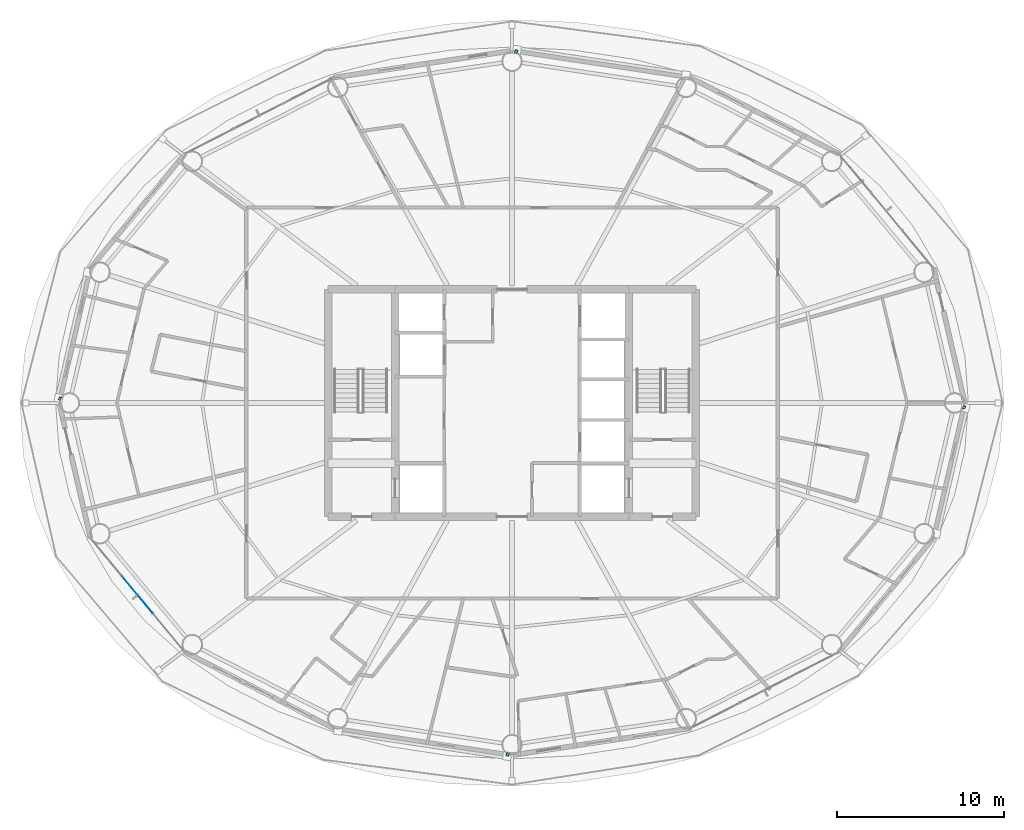
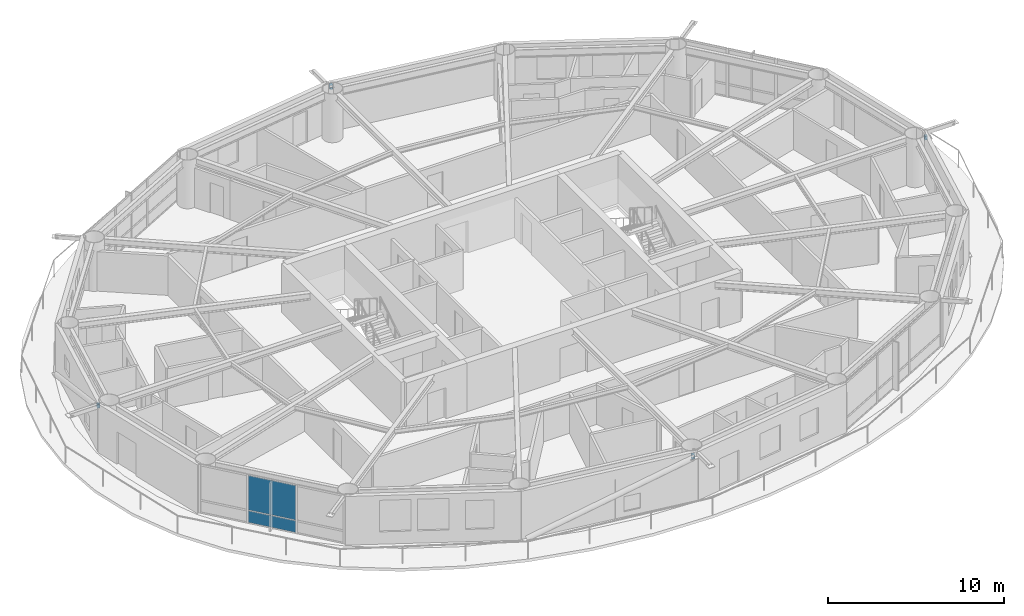
# One storey, part 16 of 28: 4 members, 2 plates, 1 element without a shape of its own.
"""IFC4 building model written with IfcOpenShell, lengths in metres."""

from ifc_helpers import new_model, si_unit, direction, frame, origin, origin_2d, place, context, subcontext, project, spatial, rectangle, hollow_rectangle, extrude, material, layer, layer_set, material_profile, profile_set, type_object, element, aggregate, save


model = new_model("IFC4")

# Units and contexts
model_context = context("Model", 3, precision=1e-05, world=origin(), true_north=direction((0.0, 1.0)))
body_context = subcontext(model_context, "Body", "Model", "MODEL_VIEW")
ifc_project = project(units=[si_unit("LENGTHUNIT", "METRE"), si_unit("AREAUNIT", "SQUARE_METRE"), si_unit("VOLUMEUNIT", "CUBIC_METRE"), si_unit("PLANEANGLEUNIT", "RADIAN"), si_unit("MASSUNIT", "GRAM", prefix="KILO")], contexts=[model_context])

# Site, building, storey
site_placement = place(None, origin())
site = spatial("IfcSite", under=ifc_project, at=site_placement, CompositionType="ELEMENT")
building_placement = place(site_placement, origin())
building = spatial("IfcBuilding", under=site, at=building_placement, Name="Sarneth Arch Tower", CompositionType="ELEMENT")
storey_placement = place(building_placement, frame((0.0, 0.0, 183.0)))
storey = spatial("IfcBuildingStorey", under=building, at=storey_placement, Name="L46", CompositionType="ELEMENT", Elevation=183.0)

# Members
ifc_material_1 = material(Name="Steel S355", Category="steel")
ifc_material_profile = material_profile(ifc_material_1, hollow_rectangle(XDim=0.199951171875, YDim=0.300048828125, WallThickness=0.012451171875, InnerFilletRadius=0.018798828125, OuterFilletRadius=0.03125, at=origin_2d()), Name="RHS300x200x12.5")
ifc_profile_set = profile_set([ifc_material_profile], Name="Steel S355")
member_type = type_object("IfcMemberType", Name="MEM-CANT-STRUT", PredefinedType="STRUT", material=ifc_profile_set)
member_1_placement = place(storey_placement, frame((48.214599609375, 62.945556640625, 3.050537109375), z_axis=(0.396911150685, 0.91785703596, 0.0), x_axis=(-0.91785703596, 0.396911150685, 0.0)))
element("IfcMember", 1, at=member_1_placement, inside=storey, type_object=member_type, Name="L46 Exoskeleton brace node strut 04B", PredefinedType="STRUT", context=body_context, shape_type="SweptSolid", body=[
    extrude(hollow_rectangle(XDim=0.199951171875, YDim=0.300048828125, WallThickness=0.012451171875, InnerFilletRadius=0.018798828125, OuterFilletRadius=0.03125, at=origin_2d()), origin(), (0.0, 0.0, 1.0), 0.206787109375),
])
member_2_placement = place(storey_placement, frame((21.021484375, 42.223876953125, 3.050537109375), z_axis=(-0.910366477463, 0.413802944301, 0.0), x_axis=(-0.413802944301, -0.910366477463, 0.0)))
element("IfcMember", 2, at=member_2_placement, inside=storey, type_object=member_type, Name="L46 Exoskeleton brace node strut 08B", PredefinedType="STRUT", context=body_context, shape_type="SweptSolid", body=[
    extrude(hollow_rectangle(XDim=0.199951171875, YDim=0.300048828125, WallThickness=0.012451171875, InnerFilletRadius=0.018798828125, OuterFilletRadius=0.03125, at=origin_2d()), origin(), (0.0, 0.0, 1.0), 0.165283203125),
])
member_3_placement = place(storey_placement, frame((47.785400390625, 21.054443359375, 3.050537109375), z_axis=(-0.396911150685, -0.91785703596, 0.0), x_axis=(0.91785703596, -0.396911150685, 0.0)))
element("IfcMember", 3, at=member_3_placement, inside=storey, type_object=member_type, Name="L46 Exoskeleton brace node strut 12B", PredefinedType="STRUT", context=body_context, shape_type="SweptSolid", body=[
    extrude(hollow_rectangle(XDim=0.199951171875, YDim=0.300048828125, WallThickness=0.012451171875, InnerFilletRadius=0.018798828125, OuterFilletRadius=0.03125, at=origin_2d()), origin(), (0.0, 0.0, 1.0), 0.206787109375),
])
member_4_placement = place(storey_placement, frame((74.978515625, 41.776123046875, 3.050537109375), z_axis=(0.910366477463, -0.413802944301, 0.0), x_axis=(0.413802944301, 0.910366477463, 0.0)))
element("IfcMember", 4, at=member_4_placement, inside=storey, type_object=member_type, Name="L46 Exoskeleton brace node strut 16B", PredefinedType="STRUT", context=body_context, shape_type="SweptSolid", body=[
    extrude(hollow_rectangle(XDim=0.199951171875, YDim=0.300048828125, WallThickness=0.012451171875, InnerFilletRadius=0.018798828125, OuterFilletRadius=0.03125, at=origin_2d()), origin(), (0.0, 0.0, 1.0), 0.165283203125),
])

# Curtain wall, plates
ifc_material_2 = material(Name="Anodised aluminium Type AA25 and solar-control low-e laminated IGU", Category="aluminium")
ifc_layer_1 = layer(ifc_material_2, 0.169921875)
ifc_layer_set_1 = layer_set([ifc_layer_1], Name="Anodised aluminium Type AA25 and solar-control low-e laminated IGU")
curtain_wall_type = type_object("IfcCurtainWallType", Name="CW-RES-MID", PredefinedType="NOTDEFINED", material=ifc_layer_set_1)
curtain_wall_placement = place(storey_placement, origin())
curtain_wall = element("IfcCurtainWall", 5, at=curtain_wall_placement, inside=storey, type_object=curtain_wall_type, Name="L46 Unitised curtain wall facet 10", PredefinedType="NOTDEFINED")
ifc_material_3 = material(Name="Solar-control low-e laminated IGU", Category="glass")
ifc_layer_2 = layer(ifc_material_3, 0.028076171875)
ifc_layer_set_2 = layer_set([ifc_layer_2], Name="Solar-control low-e laminated IGU")
plate_type = type_object("IfcPlateType", Name="CW-PANEL", PredefinedType="CURTAIN_PANEL", material=ifc_layer_set_2)
plate_1_placement = place(storey_placement, frame((25.595703125, 30.513671875, 0.06005859375), z_axis=(0.0, 0.0, 1.0), x_axis=(0.637330298558, -0.770590741276, 0.0)))
plate_1 = element("IfcPlate", 6, at=plate_1_placement, type_object=plate_type, Name="Curtain wall glazed vision pane CW-L46-F10/P01-00", PredefinedType="CURTAIN_PANEL", context=body_context, shape_type="SweptSolid", body=[
    extrude(rectangle(XDim=2.898193359375, YDim=0.028076171875, at=origin_2d()), origin(), (0.0, 0.0, 1.0), 0.81005859375),
])
plate_2_placement = place(storey_placement, frame((25.595703125, 30.513671875, 0.93017578125), z_axis=(0.0, 0.0, 1.0), x_axis=(0.637330298558, -0.770590741276, 0.0)))
plate_2 = element("IfcPlate", 7, at=plate_2_placement, type_object=plate_type, Name="Curtain wall glazed vision pane CW-L46-F10/P01-01", PredefinedType="CURTAIN_PANEL", context=body_context, shape_type="SweptSolid", body=[
    extrude(rectangle(XDim=2.898193359375, YDim=0.028076171875, at=origin_2d()), origin(), (0.0, 0.0, 1.0), 2.389892578125),
])
aggregate(curtain_wall, [plate_1, plate_2])

save(model, "model.ifc")
